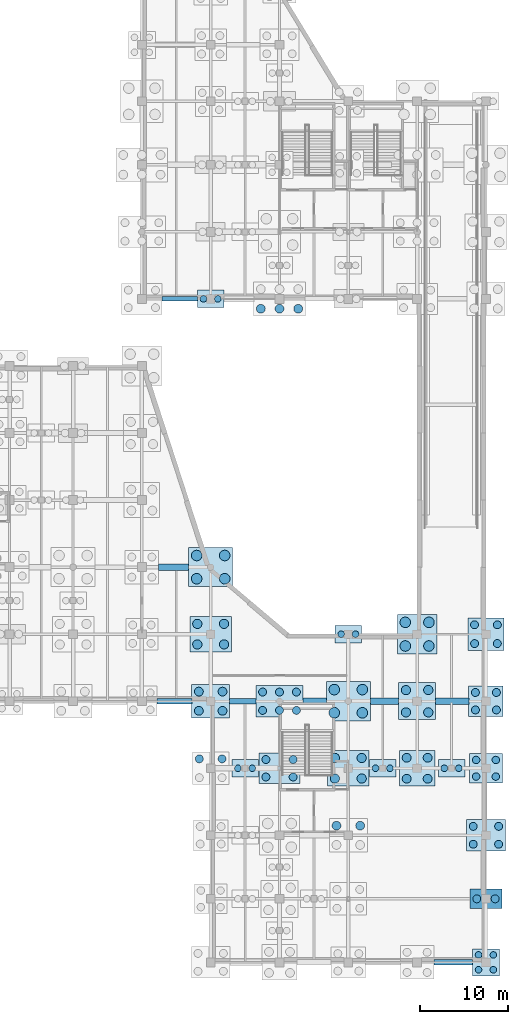
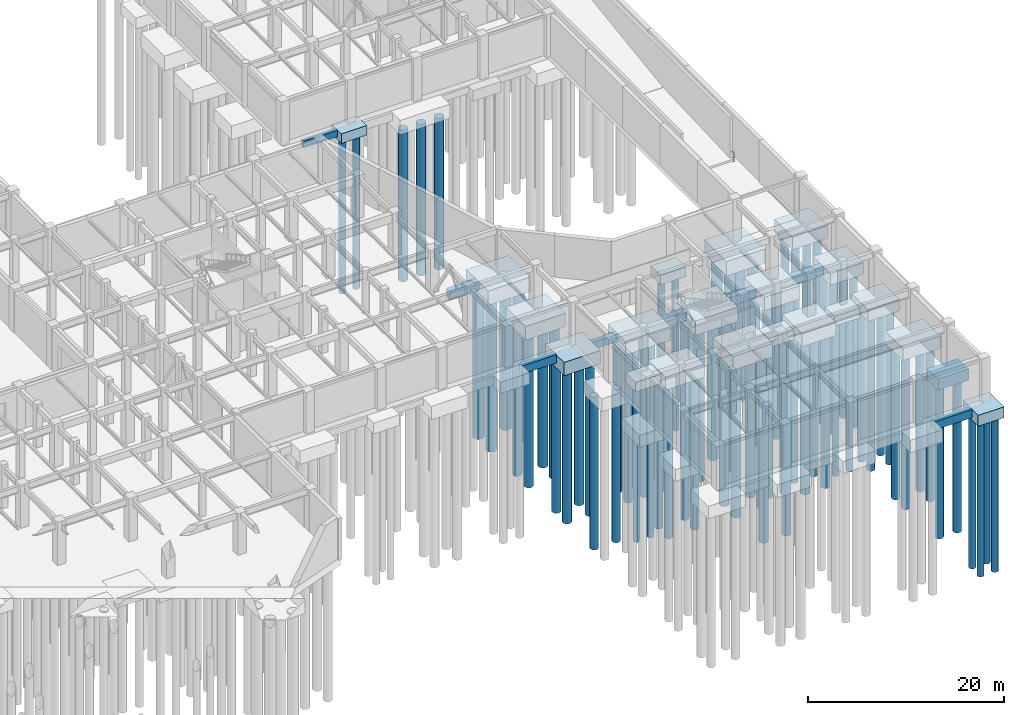
# One storey, part 11 of 52: 81 piles, 29 footings.
"""IFC4 building model written with IfcOpenShell, lengths in metres."""

from ifc_helpers import new_model, si_unit, direction, frame, origin, origin_2d, place, context, subcontext, project, spatial, rectangle, circle, extrude, material, material_profile, profile_set, type_object, element, save


model = new_model("IFC4")

# Units and contexts
model_context = context("Model", 3, precision=1e-05, world=origin(), true_north=direction((0.0, 1.0)))
body_context = subcontext(model_context, "Body", "Model", "MODEL_VIEW")
ifc_project = project(units=[si_unit("LENGTHUNIT", "METRE"), si_unit("AREAUNIT", "SQUARE_METRE"), si_unit("VOLUMEUNIT", "CUBIC_METRE"), si_unit("PLANEANGLEUNIT", "RADIAN"), si_unit("MASSUNIT", "GRAM", prefix="KILO")], contexts=[model_context])

# Site, building, storey
site_placement = place(None, origin())
site = spatial("IfcSite", under=ifc_project, at=site_placement, CompositionType="ELEMENT")
building_placement = place(site_placement, origin())
building = spatial("IfcBuilding", under=site, at=building_placement, Name="Xicomal Pleat Aquarium", CompositionType="ELEMENT")
storey_placement = place(building_placement, frame((0.0, 0.0, -5.39990234375)))
storey = spatial("IfcBuildingStorey", under=building, at=storey_placement, Name="B1", CompositionType="ELEMENT", Elevation=-5.39990234375)

# Footings
ifc_material_1 = material(Name="Concrete C40/50", Category="concrete")
ifc_material_profile_1 = material_profile(ifc_material_1, rectangle(XDim=0.5, YDim=0.800048828125, at=origin_2d()), Name="FB-01 500x800")
ifc_profile_set_1 = profile_set([ifc_material_profile_1], Name="Concrete C40/50")
footing_type_1 = type_object("IfcFootingType", Name="FTG-FB-500x800", PredefinedType="FOOTING_BEAM", material=ifc_profile_set_1)
footing_1_placement = place(storey_placement, frame((128.2900390625, 76.0, -1.0), z_axis=(1.0, 0.0, 0.0), x_axis=(0.0, 1.0, 0.0)))
element("IfcFooting", 1, at=footing_1_placement, inside=storey, type_object=footing_type_1, Name="Foundation tie beam 16-17/L", PredefinedType="FOOTING_BEAM", context=body_context, shape_type="SweptSolid", body=[
    extrude(rectangle(XDim=0.5, YDim=0.800048828125, at=origin_2d()), origin(), (0.0, 0.0, 1.0), 4.02001953125),
])
ifc_material_2 = material(Name="Concrete C40/50", Category="concrete")
ifc_material_profile_2 = material_profile(ifc_material_2, rectangle(XDim=0.60009765625, YDim=0.89990234375, at=origin_2d()), Name="FB-02 600x900")
ifc_profile_set_2 = profile_set([ifc_material_profile_2], Name="Concrete C40/50")
footing_type_2 = type_object("IfcFootingType", Name="FTG-FB-600x900", PredefinedType="FOOTING_BEAM", material=ifc_profile_set_2)
footing_2_placement = place(storey_placement, frame((135.93994140625, 30.39990234375, -1.050048828125), z_axis=(1.0, 0.0, 0.0), x_axis=(0.0, 1.0, 0.0)))
element("IfcFooting", 2, at=footing_2_placement, inside=storey, type_object=footing_type_2, Name="Foundation tie beam 17-18/E", PredefinedType="FOOTING_BEAM", context=body_context, shape_type="SweptSolid", body=[
    extrude(rectangle(XDim=0.60009765625, YDim=0.89990234375, at=origin_2d()), origin(), (0.0, 0.0, 1.0), 2.9951171875),
])
ifc_material_3 = material(Name="Concrete C40/50", Category="concrete")
ifc_material_profile_3 = material_profile(ifc_material_3, rectangle(XDim=0.64990234375, YDim=1.0, at=origin_2d()), Name="FB-03 650x1000")
ifc_profile_set_3 = profile_set([ifc_material_profile_3], Name="Concrete C40/50")
footing_type_3 = type_object("IfcFootingType", Name="FTG-FB-650x1000", PredefinedType="FOOTING_BEAM", material=ifc_profile_set_3)
footing_3_placement = place(storey_placement, frame((127.68994140625, 30.39990234375, -1.10009765625), z_axis=(1.0, 0.0, 0.0), x_axis=(0.0, 1.0, 0.0)))
element("IfcFooting", 3, at=footing_3_placement, inside=storey, type_object=footing_type_3, Name="Foundation tie beam 16-17/E", PredefinedType="FOOTING_BEAM", context=body_context, shape_type="SweptSolid", body=[
    extrude(rectangle(XDim=0.64990234375, YDim=1.0, at=origin_2d()), origin(), (0.0, 0.0, 1.0), 3.969970703125),
])
footing_4_placement = place(storey_placement, frame((159.090087890625, 0.800048828125, -1.10009765625), z_axis=(1.0, 0.0, 0.0), x_axis=(0.0, 1.0, 0.0)))
element("IfcFooting", 4, at=footing_4_placement, inside=storey, type_object=footing_type_3, Name="Foundation tie beam 20-21/A", PredefinedType="FOOTING_BEAM", context=body_context, shape_type="SweptSolid", body=[
    extrude(rectangle(XDim=0.64990234375, YDim=1.0, at=origin_2d()), origin(), (0.0, 0.0, 1.0), 4.39501953125),
])
ifc_material_4 = material(Name="Concrete C40/50", Category="concrete")
ifc_material_profile_4 = material_profile(ifc_material_4, rectangle(XDim=0.75, YDim=1.10009765625, at=origin_2d()), Name="FB-04 750x1100")
ifc_profile_set_4 = profile_set([ifc_material_profile_4], Name="Concrete C40/50")
footing_type_4 = type_object("IfcFootingType", Name="FTG-FB-750x1100", PredefinedType="FOOTING_BEAM", material=ifc_profile_set_4)
footing_5_placement = place(storey_placement, frame((127.889892578125, 45.60009765625, -1.150146484375), z_axis=(1.0, 0.0, 0.0), x_axis=(0.0, 1.0, 0.0)))
element("IfcFooting", 5, at=footing_5_placement, inside=storey, type_object=footing_type_4, Name="Foundation tie beam 16-17/G", PredefinedType="FOOTING_BEAM", context=body_context, shape_type="SweptSolid", body=[
    extrude(rectangle(XDim=0.75, YDim=1.10009765625, at=origin_2d()), origin(), (0.0, 0.0, 1.0), 3.420166015625),
])
footing_6_placement = place(storey_placement, frame((144.264892578125, 30.39990234375, -1.150146484375), z_axis=(1.0, 0.0, 0.0), x_axis=(0.0, 1.0, 0.0)))
element("IfcFooting", 6, at=footing_6_placement, inside=storey, type_object=footing_type_4, Name="Foundation tie beam 18-19/E", PredefinedType="FOOTING_BEAM", context=body_context, shape_type="SweptSolid", body=[
    extrude(rectangle(XDim=0.75, YDim=1.10009765625, at=origin_2d()), origin(), (0.0, 0.0, 1.0), 2.64501953125),
])
footing_7_placement = place(storey_placement, frame((151.889892578125, 30.39990234375, -1.150146484375), z_axis=(1.0, 0.0, 0.0), x_axis=(0.0, 1.0, 0.0)))
element("IfcFooting", 7, at=footing_7_placement, inside=storey, type_object=footing_type_4, Name="Foundation tie beam 19-20/E", PredefinedType="FOOTING_BEAM", context=body_context, shape_type="SweptSolid", body=[
    extrude(rectangle(XDim=0.75, YDim=1.10009765625, at=origin_2d()), origin(), (0.0, 0.0, 1.0), 3.22021484375),
])
footing_8_placement = place(storey_placement, frame((159.2900390625, 30.39990234375, -1.150146484375), z_axis=(1.0, 0.0, 0.0), x_axis=(0.0, 1.0, 0.0)))
element("IfcFooting", 8, at=footing_8_placement, inside=storey, type_object=footing_type_4, Name="Foundation tie beam 20-21/E", PredefinedType="FOOTING_BEAM", context=body_context, shape_type="SweptSolid", body=[
    extrude(rectangle(XDim=0.75, YDim=1.10009765625, at=origin_2d()), origin(), (0.0, 0.0, 1.0), 3.77001953125),
])
ifc_material_5 = material(Name="Concrete C40/50", Category="concrete")
footing_type_5 = type_object("IfcFootingType", Name="FTG-PC-3000x2000x1200", PredefinedType="PILE_CAP", material=ifc_material_5)
for number, where, z_axis, x_axis, name in (
    (9, (133.800048828125, 76.0, -1.80029296875), (0.0, 0.0, 1.0), (1.0, 0.0, 0.0), "Pile cap 17-L"),
    (10, (149.39990234375, 38.0, -1.80029296875), (0.0, 0.0, 1.0), (1.0, 0.0, 0.0), "Pile cap 19-F"),
    (11, (137.699951171875, 22.800048828125, -1.80029296875), (0.0, 0.0, 1.0), (1.0, 0.0, 0.0), "Pile cap SUB-26"),
    (12, (153.300048828125, 22.800048828125, -1.80029296875), (0.0, 0.0, 1.0), (1.0, 0.0, 0.0), "Pile cap SUB-31"),
    (13, (161.10009765625, 22.800048828125, -1.80029296875), (0.0, 0.0, 1.0), (1.0, 0.0, 0.0), "Pile cap SUB-32"),
):
    element("IfcFooting", number, at=place(storey_placement, frame(where, z_axis=z_axis, x_axis=x_axis)), inside=storey, type_object=footing_type_5, Name=name, PredefinedType="PILE_CAP", context=body_context, shape_type="SweptSolid", body=[
        extrude(rectangle(XDim=3.0, YDim=2.0, at=origin_2d()), origin(), (0.0, 0.0, 1.0), 1.199951171875),
    ])
ifc_material_6 = material(Name="Concrete C40/50", Category="concrete")
footing_type_6 = type_object("IfcFootingType", Name="FTG-PC-3050x3050x1350", PredefinedType="PILE_CAP", material=ifc_material_6)
footing_9_placement = place(storey_placement, frame((165.0, 0.800048828125, -1.9501953125), z_axis=(0.0, 0.0, 1.0), x_axis=(1.0, 0.0, 0.0)))
element("IfcFooting", 14, at=footing_9_placement, inside=storey, type_object=footing_type_6, Name="Pile cap 21-A", PredefinedType="PILE_CAP", context=body_context, shape_type="SweptSolid", body=[
    extrude(rectangle(XDim=3.050048828125, YDim=3.050048828125, at=origin_2d()), origin(), (0.0, 0.0, 1.0), 1.35009765625),
])
ifc_material_7 = material(Name="Concrete C40/50", Category="concrete")
footing_type_7 = type_object("IfcFootingType", Name="FTG-PC-3600x2200x1400", PredefinedType="PILE_CAP", material=ifc_material_7)
footing_10_placement = place(storey_placement, frame((165.0, 8.0, -2.0), z_axis=(0.0, 0.0, 1.0), x_axis=(1.0, 0.0, 0.0)))
element("IfcFooting", 15, at=footing_10_placement, inside=storey, type_object=footing_type_7, Name="Pile cap 21-B", PredefinedType="PILE_CAP", context=body_context, shape_type="SweptSolid", body=[
    extrude(rectangle(XDim=3.60009765625, YDim=2.199951171875, at=origin_2d()), origin(), (0.0, 0.0, 1.0), 1.39990234375),
])
ifc_material_8 = material(Name="Concrete C40/50", Category="concrete")
footing_type_8 = type_object("IfcFootingType", Name="FTG-PC-3700x3350x1450", PredefinedType="PILE_CAP", material=ifc_material_8)
footing_11_placement = place(storey_placement, frame((165.0, 22.800048828125, -2.05029296875), z_axis=(0.0, 0.0, 1.0), x_axis=(1.0, 0.0, 0.0)))
element("IfcFooting", 16, at=footing_11_placement, inside=storey, type_object=footing_type_8, Name="Pile cap 21-D", PredefinedType="PILE_CAP", context=body_context, shape_type="SweptSolid", body=[
    extrude(rectangle(XDim=3.699951171875, YDim=3.35009765625, at=origin_2d()), origin(), (0.0, 0.0, 1.0), 1.449951171875),
])
ifc_material_9 = material(Name="Concrete C40/50", Category="concrete")
footing_type_9 = type_object("IfcFootingType", Name="FTG-PC-3900x3500x1500", PredefinedType="PILE_CAP", material=ifc_material_9)
footing_12_placement = place(storey_placement, frame((165.0, 30.39990234375, -2.10009765625), z_axis=(0.0, 0.0, 1.0), x_axis=(1.0, 0.0, 0.0)))
element("IfcFooting", 17, at=footing_12_placement, inside=storey, type_object=footing_type_9, Name="Pile cap 21-E", PredefinedType="PILE_CAP", context=body_context, shape_type="SweptSolid", body=[
    extrude(rectangle(XDim=3.89990234375, YDim=3.5, at=origin_2d()), origin(), (0.0, 0.0, 1.0), 1.5),
])
ifc_material_10 = material(Name="Concrete C40/50", Category="concrete")
footing_type_10 = type_object("IfcFootingType", Name="FTG-PC-4000x4000x1600", PredefinedType="PILE_CAP", material=ifc_material_10)
footing_13_placement = place(storey_placement, frame((157.199951171875, 22.800048828125, -2.2001953125), z_axis=(0.0, 0.0, 1.0), x_axis=(1.0, 0.0, 0.0)))
element("IfcFooting", 18, at=footing_13_placement, inside=storey, type_object=footing_type_10, Name="Pile cap 20-D", PredefinedType="PILE_CAP", context=body_context, shape_type="SweptSolid", body=[
    extrude(rectangle(XDim=4.0, YDim=4.0, at=origin_2d()), origin(), (0.0, 0.0, 1.0), 1.60009765625),
])
ifc_material_11 = material(Name="Concrete C40/50", Category="concrete")
footing_type_11 = type_object("IfcFootingType", Name="FTG-PC-4100x3650x1600", PredefinedType="PILE_CAP", material=ifc_material_11)
footing_14_placement = place(storey_placement, frame((165.0, 38.0, -2.2001953125), z_axis=(0.0, 0.0, 1.0), x_axis=(1.0, 0.0, 0.0)))
element("IfcFooting", 19, at=footing_14_placement, inside=storey, type_object=footing_type_11, Name="Pile cap 21-F", PredefinedType="PILE_CAP", context=body_context, shape_type="SweptSolid", body=[
    extrude(rectangle(XDim=4.10009765625, YDim=3.64990234375, at=origin_2d()), origin(), (0.0, 0.0, 1.0), 1.60009765625),
])
ifc_material_12 = material(Name="Concrete C40/50", Category="concrete")
footing_type_12 = type_object("IfcFootingType", Name="FTG-PC-4200x4200x1650", PredefinedType="PILE_CAP", material=ifc_material_12)
footing_15_placement = place(storey_placement, frame((157.199951171875, 30.39990234375, -2.25), z_axis=(0.0, 0.0, 1.0), x_axis=(1.0, 0.0, 0.0)))
element("IfcFooting", 20, at=footing_15_placement, inside=storey, type_object=footing_type_12, Name="Pile cap 20-E", PredefinedType="PILE_CAP", context=body_context, shape_type="SweptSolid", body=[
    extrude(rectangle(XDim=4.199951171875, YDim=4.199951171875, at=origin_2d()), origin(), (0.0, 0.0, 1.0), 1.64990234375),
])
ifc_material_13 = material(Name="Concrete C40/50", Category="concrete")
footing_type_13 = type_object("IfcFootingType", Name="FTG-PC-4300x3800x1650", PredefinedType="PILE_CAP", material=ifc_material_13)
footing_16_placement = place(storey_placement, frame((133.800048828125, 30.39990234375, -2.25), z_axis=(0.0, 0.0, 1.0), x_axis=(1.0, 0.0, 0.0)))
element("IfcFooting", 21, at=footing_16_placement, inside=storey, type_object=footing_type_13, Name="Pile cap 17-E", PredefinedType="PILE_CAP", context=body_context, shape_type="SweptSolid", body=[
    extrude(rectangle(XDim=4.300048828125, YDim=3.800048828125, at=origin_2d()), origin(), (0.0, 0.0, 1.0), 1.64990234375),
])
ifc_material_14 = material(Name="Concrete C40/50", Category="concrete")
footing_type_14 = type_object("IfcFootingType", Name="FTG-PC-4400x3550x1550", PredefinedType="PILE_CAP", material=ifc_material_14)
footing_17_placement = place(storey_placement, frame((165.0, 15.199951171875, -2.14990234375), z_axis=(0.0, 0.0, 1.0), x_axis=(1.0, 0.0, 0.0)))
element("IfcFooting", 22, at=footing_17_placement, inside=storey, type_object=footing_type_14, Name="Pile cap 21-C", PredefinedType="PILE_CAP", context=body_context, shape_type="SweptSolid", body=[
    extrude(rectangle(XDim=4.39990234375, YDim=3.550048828125, at=origin_2d()), origin(), (0.0, 0.0, 1.0), 1.550048828125),
])
ifc_material_15 = material(Name="Concrete C40/50", Category="concrete")
footing_type_15 = type_object("IfcFootingType", Name="FTG-PC-4500x4500x1800", PredefinedType="PILE_CAP", material=ifc_material_15)
footing_18_placement = place(storey_placement, frame((157.199951171875, 38.0, -2.39990234375), z_axis=(0.0, 0.0, 1.0), x_axis=(1.0, 0.0, 0.0)))
element("IfcFooting", 23, at=footing_18_placement, inside=storey, type_object=footing_type_15, Name="Pile cap 20-F", PredefinedType="PILE_CAP", context=body_context, shape_type="SweptSolid", body=[
    extrude(rectangle(XDim=4.5, YDim=4.5, at=origin_2d()), origin(), (0.0, 0.0, 1.0), 1.800048828125),
])
ifc_material_16 = material(Name="Concrete C40/50", Category="concrete")
footing_type_16 = type_object("IfcFootingType", Name="FTG-PC-4600x3500x1600", PredefinedType="PILE_CAP", material=ifc_material_16)
footing_19_placement = place(storey_placement, frame((141.60009765625, 22.800048828125, -2.2001953125), z_axis=(0.0, 0.0, 1.0), x_axis=(1.0, 0.0, 0.0)))
element("IfcFooting", 24, at=footing_19_placement, inside=storey, type_object=footing_type_16, Name="Pile cap 18-D", PredefinedType="PILE_CAP", context=body_context, shape_type="SweptSolid", body=[
    extrude(rectangle(XDim=4.60009765625, YDim=3.5, at=origin_2d()), origin(), (0.0, 0.0, 1.0), 1.60009765625),
])
ifc_material_17 = material(Name="Concrete C40/50", Category="concrete")
footing_type_17 = type_object("IfcFootingType", Name="FTG-PC-4700x4000x1700", PredefinedType="PILE_CAP", material=ifc_material_17)
for number, where, z_axis, x_axis, name in (
    (25, (133.800048828125, 38.0, -2.30029296875), (0.0, 0.0, 1.0), (1.0, 0.0, 0.0), "Pile cap 17-F"),
    (26, (149.39990234375, 22.800048828125, -2.30029296875), (0.0, 0.0, 1.0), (1.0, 0.0, 0.0), "Pile cap 19-D"),
):
    element("IfcFooting", number, at=place(storey_placement, frame(where, z_axis=z_axis, x_axis=x_axis)), inside=storey, type_object=footing_type_17, Name=name, PredefinedType="PILE_CAP", context=body_context, shape_type="SweptSolid", body=[
        extrude(rectangle(XDim=4.699951171875, YDim=4.0, at=origin_2d()), origin(), (0.0, 0.0, 1.0), 1.699951171875),
    ])
ifc_material_18 = material(Name="Concrete C40/50", Category="concrete")
footing_type_18 = type_object("IfcFootingType", Name="FTG-PC-5000x4450x1800", PredefinedType="PILE_CAP", material=ifc_material_18)
for number, where, z_axis, x_axis, name in (
    (27, (133.800048828125, 45.60009765625, -2.39990234375), (0.0, 0.0, 1.0), (1.0, 0.0, 0.0), "Pile cap 17-G"),
    (28, (149.39990234375, 30.39990234375, -2.39990234375), (0.0, 0.0, 1.0), (1.0, 0.0, 0.0), "Pile cap 19-E"),
):
    element("IfcFooting", number, at=place(storey_placement, frame(where, z_axis=z_axis, x_axis=x_axis)), inside=storey, type_object=footing_type_18, Name=name, PredefinedType="PILE_CAP", context=body_context, shape_type="SweptSolid", body=[
        extrude(rectangle(XDim=5.0, YDim=4.449951171875, at=origin_2d()), origin(), (0.0, 0.0, 1.0), 1.800048828125),
    ])
ifc_material_19 = material(Name="Concrete C40/50", Category="concrete")
footing_type_19 = type_object("IfcFootingType", Name="FTG-PC-5350x3600x1700", PredefinedType="PILE_CAP", material=ifc_material_19)
footing_20_placement = place(storey_placement, frame((141.60009765625, 30.39990234375, -2.30029296875), z_axis=(0.0, 0.0, 1.0), x_axis=(1.0, 0.0, 0.0)))
element("IfcFooting", 29, at=footing_20_placement, inside=storey, type_object=footing_type_19, Name="Pile cap 18-E", PredefinedType="PILE_CAP", context=body_context, shape_type="SweptSolid", body=[
    extrude(rectangle(XDim=5.35009765625, YDim=3.60009765625, at=origin_2d()), origin(), (0.0, 0.0, 1.0), 1.699951171875),
])

# Piles
ifc_material_20 = material(Name="Concrete C40/50", Category="concrete")
ifc_material_profile_5 = material_profile(ifc_material_20, circle(Radius=0.5, at=origin_2d()), Name="BORED PILE D1000")
ifc_profile_set_5 = profile_set([ifc_material_profile_5], Name="Concrete C40/50")
pile_type_1 = type_object("IfcPileType", Name="PIL-B-1000", PredefinedType="BORED", material=ifc_profile_set_5)
for number, where, z_axis, x_axis, name in (
    (30, (132.4599609375, 29.31005859375, -2.150146484375), (0.0, 0.0, -1.0), (1.0, 0.0, 0.0), "Bored pile 17-E-1"),
    (31, (135.139892578125, 29.31005859375, -2.150146484375), (0.0, 0.0, -1.0), (1.0, 0.0, 0.0), "Bored pile 17-E-2"),
    (32, (132.4599609375, 31.489990234375, -2.150146484375), (0.0, 0.0, -1.0), (1.0, 0.0, 0.0), "Bored pile 17-E-3"),
    (33, (135.139892578125, 31.489990234375, -2.150146484375), (0.0, 0.0, -1.0), (1.0, 0.0, 0.0), "Bored pile 17-E-4"),
):
    element("IfcPile", number, at=place(storey_placement, frame(where, z_axis=z_axis, x_axis=x_axis)), inside=storey, type_object=pile_type_1, Name=name, PredefinedType="BORED", context=body_context, shape_type="SweptSolid", body=[
        extrude(circle(Radius=0.5, at=origin_2d()), origin(), (0.0, 0.0, 1.0), 18.949951171875),
    ])
for number, where, z_axis, x_axis, name in (
    (34, (139.485107421875, 74.885009765625, -2.25), (0.0, 0.0, -1.0), (1.0, 0.0, 0.0), "Bored pile 18-L-1"),
    (35, (141.60009765625, 74.885009765625, -2.25), (0.0, 0.0, -1.0), (1.0, 0.0, 0.0), "Bored pile 18-L-2"),
    (36, (143.715087890625, 74.885009765625, -2.25), (0.0, 0.0, -1.0), (1.0, 0.0, 0.0), "Bored pile 18-L-3"),
):
    element("IfcPile", number, at=place(storey_placement, frame(where, z_axis=z_axis, x_axis=x_axis)), inside=storey, type_object=pile_type_1, Name=name, PredefinedType="BORED", context=body_context, shape_type="SweptSolid", body=[
        extrude(circle(Radius=0.5, at=origin_2d()), origin(), (0.0, 0.0, 1.0), 18.85009765625),
    ])
for number, where, z_axis, x_axis, name in (
    (37, (148.06005859375, 16.2900390625, -2.150146484375), (0.0, 0.0, -1.0), (1.0, 0.0, 0.0), "Bored pile 19-C-3"),
    (38, (150.739990234375, 16.2900390625, -2.150146484375), (0.0, 0.0, -1.0), (1.0, 0.0, 0.0), "Bored pile 19-C-4"),
):
    element("IfcPile", number, at=place(storey_placement, frame(where, z_axis=z_axis, x_axis=x_axis)), inside=storey, type_object=pile_type_1, Name=name, PredefinedType="BORED", context=body_context, shape_type="SweptSolid", body=[
        extrude(circle(Radius=0.5, at=origin_2d()), origin(), (0.0, 0.0, 1.0), 18.949951171875),
    ])
for number, where, z_axis, x_axis, name in (
    (39, (156.010009765625, 21.610107421875, -2.10009765625), (0.0, 0.0, -1.0), (1.0, 0.0, 0.0), "Bored pile 20-D-1"),
    (40, (158.389892578125, 21.610107421875, -2.10009765625), (0.0, 0.0, -1.0), (1.0, 0.0, 0.0), "Bored pile 20-D-2"),
    (41, (156.010009765625, 23.989990234375, -2.10009765625), (0.0, 0.0, -1.0), (1.0, 0.0, 0.0), "Bored pile 20-D-3"),
    (42, (158.389892578125, 23.989990234375, -2.10009765625), (0.0, 0.0, -1.0), (1.0, 0.0, 0.0), "Bored pile 20-D-4"),
):
    element("IfcPile", number, at=place(storey_placement, frame(where, z_axis=z_axis, x_axis=x_axis)), inside=storey, type_object=pile_type_1, Name=name, PredefinedType="BORED", context=body_context, shape_type="SweptSolid", body=[
        extrude(circle(Radius=0.5, at=origin_2d()), origin(), (0.0, 0.0, 1.0), 19.0),
    ])
ifc_material_21 = material(Name="Concrete C40/50", Category="concrete")
ifc_material_profile_6 = material_profile(ifc_material_21, circle(Radius=0.52490234375, at=origin_2d()), Name="BORED PILE D1050")
ifc_profile_set_6 = profile_set([ifc_material_profile_6], Name="Concrete C40/50")
pile_type_2 = type_object("IfcPileType", Name="PIL-B-1050", PredefinedType="BORED", material=ifc_profile_set_6)
for number, where, z_axis, x_axis, name in (
    (43, (132.284912109375, 36.8349609375, -2.2001953125), (0.0, 0.0, -1.0), (1.0, 0.0, 0.0), "Bored pile 17-F-1"),
    (44, (135.31494140625, 36.8349609375, -2.2001953125), (0.0, 0.0, -1.0), (1.0, 0.0, 0.0), "Bored pile 17-F-2"),
    (45, (132.284912109375, 39.1650390625, -2.2001953125), (0.0, 0.0, -1.0), (1.0, 0.0, 0.0), "Bored pile 17-F-3"),
    (46, (135.31494140625, 39.1650390625, -2.2001953125), (0.0, 0.0, -1.0), (1.0, 0.0, 0.0), "Bored pile 17-F-4"),
    (47, (147.885009765625, 21.635009765625, -2.2001953125), (0.0, 0.0, -1.0), (1.0, 0.0, 0.0), "Bored pile 19-D-1"),
    (48, (150.9150390625, 21.635009765625, -2.2001953125), (0.0, 0.0, -1.0), (1.0, 0.0, 0.0), "Bored pile 19-D-2"),
    (49, (147.885009765625, 23.965087890625, -2.2001953125), (0.0, 0.0, -1.0), (1.0, 0.0, 0.0), "Bored pile 19-D-3"),
    (50, (150.9150390625, 23.965087890625, -2.2001953125), (0.0, 0.0, -1.0), (1.0, 0.0, 0.0), "Bored pile 19-D-4"),
):
    element("IfcPile", number, at=place(storey_placement, frame(where, z_axis=z_axis, x_axis=x_axis)), inside=storey, type_object=pile_type_2, Name=name, PredefinedType="BORED", context=body_context, shape_type="SweptSolid", body=[
        extrude(circle(Radius=0.52490234375, at=origin_2d()), origin(), (0.0, 0.0, 1.0), 18.89990234375),
    ])
for number, where, z_axis, x_axis, name in (
    (51, (155.93505859375, 29.135009765625, -2.150146484375), (0.0, 0.0, -1.0), (1.0, 0.0, 0.0), "Bored pile 20-E-1"),
    (52, (158.465087890625, 29.135009765625, -2.150146484375), (0.0, 0.0, -1.0), (1.0, 0.0, 0.0), "Bored pile 20-E-2"),
    (53, (155.93505859375, 31.6650390625, -2.150146484375), (0.0, 0.0, -1.0), (1.0, 0.0, 0.0), "Bored pile 20-E-3"),
    (54, (158.465087890625, 31.6650390625, -2.150146484375), (0.0, 0.0, -1.0), (1.0, 0.0, 0.0), "Bored pile 20-E-4"),
):
    element("IfcPile", number, at=place(storey_placement, frame(where, z_axis=z_axis, x_axis=x_axis)), inside=storey, type_object=pile_type_2, Name=name, PredefinedType="BORED", context=body_context, shape_type="SweptSolid", body=[
        extrude(circle(Radius=0.52490234375, at=origin_2d()), origin(), (0.0, 0.0, 1.0), 18.949951171875),
    ])
ifc_material_22 = material(Name="Concrete C40/50", Category="concrete")
ifc_material_profile_7 = material_profile(ifc_material_22, circle(Radius=0.60009765625, at=origin_2d()), Name="BORED PILE D1200")
ifc_profile_set_7 = profile_set([ifc_material_profile_7], Name="Concrete C40/50")
pile_type_3 = type_object("IfcPileType", Name="PIL-B-1200", PredefinedType="BORED", material=ifc_profile_set_7)
for number, where, z_axis, x_axis, name in (
    (55, (132.2099609375, 44.284912109375, -2.300048828125), (0.0, 0.0, -1.0), (1.0, 0.0, 0.0), "Bored pile 17-G-1"),
    (56, (135.389892578125, 44.284912109375, -2.300048828125), (0.0, 0.0, -1.0), (1.0, 0.0, 0.0), "Bored pile 17-G-2"),
    (57, (132.2099609375, 46.9150390625, -2.300048828125), (0.0, 0.0, -1.0), (1.0, 0.0, 0.0), "Bored pile 17-G-3"),
    (58, (135.389892578125, 46.9150390625, -2.300048828125), (0.0, 0.0, -1.0), (1.0, 0.0, 0.0), "Bored pile 17-G-4"),
    (59, (147.81005859375, 29.0849609375, -2.300048828125), (0.0, 0.0, -1.0), (1.0, 0.0, 0.0), "Bored pile 19-E-1"),
    (60, (150.989990234375, 29.0849609375, -2.300048828125), (0.0, 0.0, -1.0), (1.0, 0.0, 0.0), "Bored pile 19-E-2"),
    (61, (147.81005859375, 31.715087890625, -2.300048828125), (0.0, 0.0, -1.0), (1.0, 0.0, 0.0), "Bored pile 19-E-3"),
    (62, (150.989990234375, 31.715087890625, -2.300048828125), (0.0, 0.0, -1.0), (1.0, 0.0, 0.0), "Bored pile 19-E-4"),
    (63, (155.860107421875, 36.659912109375, -2.300048828125), (0.0, 0.0, -1.0), (1.0, 0.0, 0.0), "Bored pile 20-F-1"),
    (64, (158.5400390625, 36.659912109375, -2.300048828125), (0.0, 0.0, -1.0), (1.0, 0.0, 0.0), "Bored pile 20-F-2"),
    (65, (155.860107421875, 39.340087890625, -2.300048828125), (0.0, 0.0, -1.0), (1.0, 0.0, 0.0), "Bored pile 20-F-3"),
    (66, (158.5400390625, 39.340087890625, -2.300048828125), (0.0, 0.0, -1.0), (1.0, 0.0, 0.0), "Bored pile 20-F-4"),
):
    element("IfcPile", number, at=place(storey_placement, frame(where, z_axis=z_axis, x_axis=x_axis)), inside=storey, type_object=pile_type_3, Name=name, PredefinedType="BORED", context=body_context, shape_type="SweptSolid", body=[
        extrude(circle(Radius=0.60009765625, at=origin_2d()), origin(), (0.0, 0.0, 1.0), 18.800048828125),
    ])
ifc_material_23 = material(Name="Concrete C40/50", Category="concrete")
ifc_material_profile_8 = material_profile(ifc_material_23, circle(Radius=0.375, at=origin_2d()), Name="BORED PILE D750")
ifc_profile_set_8 = profile_set([ifc_material_profile_8], Name="Concrete C40/50")
pile_type_4 = type_object("IfcPileType", Name="PIL-B-750", PredefinedType="BORED", material=ifc_profile_set_8)
for number, where, z_axis, x_axis, name in (
    (67, (132.985107421875, 76.0, -1.7001953125), (0.0, 0.0, -1.0), (1.0, 0.0, 0.0), "Bored pile 17-L-1"),
    (68, (134.614990234375, 76.0, -1.7001953125), (0.0, 0.0, -1.0), (1.0, 0.0, 0.0), "Bored pile 17-L-2"),
    (69, (148.5849609375, 38.0, -1.7001953125), (0.0, 0.0, -1.0), (1.0, 0.0, 0.0), "Bored pile 19-F-1"),
    (70, (150.215087890625, 38.0, -1.7001953125), (0.0, 0.0, -1.0), (1.0, 0.0, 0.0), "Bored pile 19-F-2"),
):
    element("IfcPile", number, at=place(storey_placement, frame(where, z_axis=z_axis, x_axis=x_axis)), inside=storey, type_object=pile_type_4, Name=name, PredefinedType="BORED", context=body_context, shape_type="SweptSolid", body=[
        extrude(circle(Radius=0.375, at=origin_2d()), origin(), (0.0, 0.0, 1.0), 19.39990234375),
    ])
for number, where, z_axis, x_axis, name in (
    (71, (164.159912109375, -0.0400390625, -1.85009765625), (0.0, 0.0, -1.0), (1.0, 0.0, 0.0), "Bored pile 21-A-1"),
    (72, (165.840087890625, -0.0400390625, -1.85009765625), (0.0, 0.0, -1.0), (1.0, 0.0, 0.0), "Bored pile 21-A-2"),
    (73, (164.159912109375, 1.639892578125, -1.85009765625), (0.0, 0.0, -1.0), (1.0, 0.0, 0.0), "Bored pile 21-A-3"),
    (74, (165.840087890625, 1.639892578125, -1.85009765625), (0.0, 0.0, -1.0), (1.0, 0.0, 0.0), "Bored pile 21-A-4"),
):
    element("IfcPile", number, at=place(storey_placement, frame(where, z_axis=z_axis, x_axis=x_axis)), inside=storey, type_object=pile_type_4, Name=name, PredefinedType="BORED", context=body_context, shape_type="SweptSolid", body=[
        extrude(circle(Radius=0.375, at=origin_2d()), origin(), (0.0, 0.0, 1.0), 19.25),
    ])
for number, where, z_axis, x_axis, name in (
    (75, (136.885009765625, 22.800048828125, -1.7001953125), (0.0, 0.0, -1.0), (1.0, 0.0, 0.0), "Bored pile SUB-26-1"),
    (76, (138.514892578125, 22.800048828125, -1.7001953125), (0.0, 0.0, -1.0), (1.0, 0.0, 0.0), "Bored pile SUB-26-2"),
    (77, (152.485107421875, 22.800048828125, -1.7001953125), (0.0, 0.0, -1.0), (1.0, 0.0, 0.0), "Bored pile SUB-31-1"),
    (78, (154.114990234375, 22.800048828125, -1.7001953125), (0.0, 0.0, -1.0), (1.0, 0.0, 0.0), "Bored pile SUB-31-2"),
    (79, (160.284912109375, 22.800048828125, -1.7001953125), (0.0, 0.0, -1.0), (1.0, 0.0, 0.0), "Bored pile SUB-32-1"),
    (80, (161.9150390625, 22.800048828125, -1.7001953125), (0.0, 0.0, -1.0), (1.0, 0.0, 0.0), "Bored pile SUB-32-2"),
):
    element("IfcPile", number, at=place(storey_placement, frame(where, z_axis=z_axis, x_axis=x_axis)), inside=storey, type_object=pile_type_4, Name=name, PredefinedType="BORED", context=body_context, shape_type="SweptSolid", body=[
        extrude(circle(Radius=0.375, at=origin_2d()), origin(), (0.0, 0.0, 1.0), 19.39990234375),
    ])
ifc_material_24 = material(Name="Concrete C40/50", Category="concrete")
ifc_material_profile_9 = material_profile(ifc_material_24, circle(Radius=0.425048828125, at=origin_2d()), Name="BORED PILE D850")
ifc_profile_set_9 = profile_set([ifc_material_profile_9], Name="Concrete C40/50")
pile_type_5 = type_object("IfcPileType", Name="PIL-B-850", PredefinedType="BORED", material=ifc_profile_set_9)
for number, where, z_axis, x_axis, name in (
    (81, (163.885009765625, 21.860107421875, -1.9501953125), (0.0, 0.0, -1.0), (1.0, 0.0, 0.0), "Bored pile 21-D-1"),
    (82, (166.114990234375, 21.860107421875, -1.9501953125), (0.0, 0.0, -1.0), (1.0, 0.0, 0.0), "Bored pile 21-D-2"),
    (83, (163.885009765625, 23.739990234375, -1.9501953125), (0.0, 0.0, -1.0), (1.0, 0.0, 0.0), "Bored pile 21-D-3"),
    (84, (166.114990234375, 23.739990234375, -1.9501953125), (0.0, 0.0, -1.0), (1.0, 0.0, 0.0), "Bored pile 21-D-4"),
):
    element("IfcPile", number, at=place(storey_placement, frame(where, z_axis=z_axis, x_axis=x_axis)), inside=storey, type_object=pile_type_5, Name=name, PredefinedType="BORED", context=body_context, shape_type="SweptSolid", body=[
        extrude(circle(Radius=0.425048828125, at=origin_2d()), origin(), (0.0, 0.0, 1.0), 19.14990234375),
    ])
ifc_material_25 = material(Name="Concrete C40/50", Category="concrete")
ifc_material_profile_10 = material_profile(ifc_material_25, circle(Radius=0.449951171875, at=origin_2d()), Name="BORED PILE D900")
ifc_profile_set_10 = profile_set([ifc_material_profile_10], Name="Concrete C40/50")
pile_type_6 = type_object("IfcPileType", Name="PIL-B-900", PredefinedType="BORED", material=ifc_profile_set_10)
for number, where, z_axis, x_axis, name in (
    (85, (132.510009765625, 23.864990234375, -2.10009765625), (0.0, 0.0, -1.0), (1.0, 0.0, 0.0), "Bored pile 17-D-3"),
    (86, (135.090087890625, 23.864990234375, -2.10009765625), (0.0, 0.0, -1.0), (1.0, 0.0, 0.0), "Bored pile 17-D-4"),
    (87, (140.06005859375, 21.81005859375, -2.10009765625), (0.0, 0.0, -1.0), (1.0, 0.0, 0.0), "Bored pile 18-D-1"),
    (88, (143.139892578125, 21.81005859375, -2.10009765625), (0.0, 0.0, -1.0), (1.0, 0.0, 0.0), "Bored pile 18-D-2"),
    (89, (140.06005859375, 23.7900390625, -2.10009765625), (0.0, 0.0, -1.0), (1.0, 0.0, 0.0), "Bored pile 18-D-3"),
    (90, (143.139892578125, 23.7900390625, -2.10009765625), (0.0, 0.0, -1.0), (1.0, 0.0, 0.0), "Bored pile 18-D-4"),
):
    element("IfcPile", number, at=place(storey_placement, frame(where, z_axis=z_axis, x_axis=x_axis)), inside=storey, type_object=pile_type_6, Name=name, PredefinedType="BORED", context=body_context, shape_type="SweptSolid", body=[
        extrude(circle(Radius=0.449951171875, at=origin_2d()), origin(), (0.0, 0.0, 1.0), 19.0),
    ])
for number, where, z_axis, x_axis, name in (
    (91, (139.68505859375, 29.360107421875, -2.2001953125), (0.0, 0.0, -1.0), (1.0, 0.0, 0.0), "Bored pile 18-E-1"),
    (92, (141.60009765625, 29.360107421875, -2.2001953125), (0.0, 0.0, -1.0), (1.0, 0.0, 0.0), "Bored pile 18-E-2"),
    (93, (143.514892578125, 29.360107421875, -2.2001953125), (0.0, 0.0, -1.0), (1.0, 0.0, 0.0), "Bored pile 18-E-3"),
    (94, (139.68505859375, 31.43994140625, -2.2001953125), (0.0, 0.0, -1.0), (1.0, 0.0, 0.0), "Bored pile 18-E-4"),
    (95, (141.60009765625, 31.43994140625, -2.2001953125), (0.0, 0.0, -1.0), (1.0, 0.0, 0.0), "Bored pile 18-E-5"),
    (96, (143.514892578125, 31.43994140625, -2.2001953125), (0.0, 0.0, -1.0), (1.0, 0.0, 0.0), "Bored pile 18-E-6"),
):
    element("IfcPile", number, at=place(storey_placement, frame(where, z_axis=z_axis, x_axis=x_axis)), inside=storey, type_object=pile_type_6, Name=name, PredefinedType="BORED", context=body_context, shape_type="SweptSolid", body=[
        extrude(circle(Radius=0.449951171875, at=origin_2d()), origin(), (0.0, 0.0, 1.0), 18.89990234375),
    ])
for number, where, z_axis, x_axis, name in (
    (97, (163.9599609375, 8.0, -1.900146484375), (0.0, 0.0, -1.0), (1.0, 0.0, 0.0), "Bored pile 21-B-1"),
    (98, (166.0400390625, 8.0, -1.900146484375), (0.0, 0.0, -1.0), (1.0, 0.0, 0.0), "Bored pile 21-B-2"),
):
    element("IfcPile", number, at=place(storey_placement, frame(where, z_axis=z_axis, x_axis=x_axis)), inside=storey, type_object=pile_type_6, Name=name, PredefinedType="BORED", context=body_context, shape_type="SweptSolid", body=[
        extrude(circle(Radius=0.449951171875, at=origin_2d()), origin(), (0.0, 0.0, 1.0), 19.199951171875),
    ])
for number, where, z_axis, x_axis, name in (
    (99, (163.56005859375, 14.18505859375, -2.050048828125), (0.0, 0.0, -1.0), (1.0, 0.0, 0.0), "Bored pile 21-C-1"),
    (100, (166.43994140625, 14.18505859375, -2.050048828125), (0.0, 0.0, -1.0), (1.0, 0.0, 0.0), "Bored pile 21-C-2"),
    (101, (163.56005859375, 16.215087890625, -2.050048828125), (0.0, 0.0, -1.0), (1.0, 0.0, 0.0), "Bored pile 21-C-3"),
    (102, (166.43994140625, 16.215087890625, -2.050048828125), (0.0, 0.0, -1.0), (1.0, 0.0, 0.0), "Bored pile 21-C-4"),
):
    element("IfcPile", number, at=place(storey_placement, frame(where, z_axis=z_axis, x_axis=x_axis)), inside=storey, type_object=pile_type_6, Name=name, PredefinedType="BORED", context=body_context, shape_type="SweptSolid", body=[
        extrude(circle(Radius=0.449951171875, at=origin_2d()), origin(), (0.0, 0.0, 1.0), 19.050048828125),
    ])
for number, where, z_axis, x_axis, name in (
    (103, (163.81005859375, 29.409912109375, -2.0), (0.0, 0.0, -1.0), (1.0, 0.0, 0.0), "Bored pile 21-E-1"),
    (104, (166.18994140625, 29.409912109375, -2.0), (0.0, 0.0, -1.0), (1.0, 0.0, 0.0), "Bored pile 21-E-2"),
    (105, (163.81005859375, 31.389892578125, -2.0), (0.0, 0.0, -1.0), (1.0, 0.0, 0.0), "Bored pile 21-E-3"),
    (106, (166.18994140625, 31.389892578125, -2.0), (0.0, 0.0, -1.0), (1.0, 0.0, 0.0), "Bored pile 21-E-4"),
):
    element("IfcPile", number, at=place(storey_placement, frame(where, z_axis=z_axis, x_axis=x_axis)), inside=storey, type_object=pile_type_6, Name=name, PredefinedType="BORED", context=body_context, shape_type="SweptSolid", body=[
        extrude(circle(Radius=0.449951171875, at=origin_2d()), origin(), (0.0, 0.0, 1.0), 19.10009765625),
    ])
for number, where, z_axis, x_axis, name in (
    (107, (163.7099609375, 36.93505859375, -2.10009765625), (0.0, 0.0, -1.0), (1.0, 0.0, 0.0), "Bored pile 21-F-1"),
    (108, (166.2900390625, 36.93505859375, -2.10009765625), (0.0, 0.0, -1.0), (1.0, 0.0, 0.0), "Bored pile 21-F-2"),
    (109, (163.7099609375, 39.06494140625, -2.10009765625), (0.0, 0.0, -1.0), (1.0, 0.0, 0.0), "Bored pile 21-F-3"),
    (110, (166.2900390625, 39.06494140625, -2.10009765625), (0.0, 0.0, -1.0), (1.0, 0.0, 0.0), "Bored pile 21-F-4"),
):
    element("IfcPile", number, at=place(storey_placement, frame(where, z_axis=z_axis, x_axis=x_axis)), inside=storey, type_object=pile_type_6, Name=name, PredefinedType="BORED", context=body_context, shape_type="SweptSolid", body=[
        extrude(circle(Radius=0.449951171875, at=origin_2d()), origin(), (0.0, 0.0, 1.0), 19.0),
    ])

save(model, "model.ifc")
